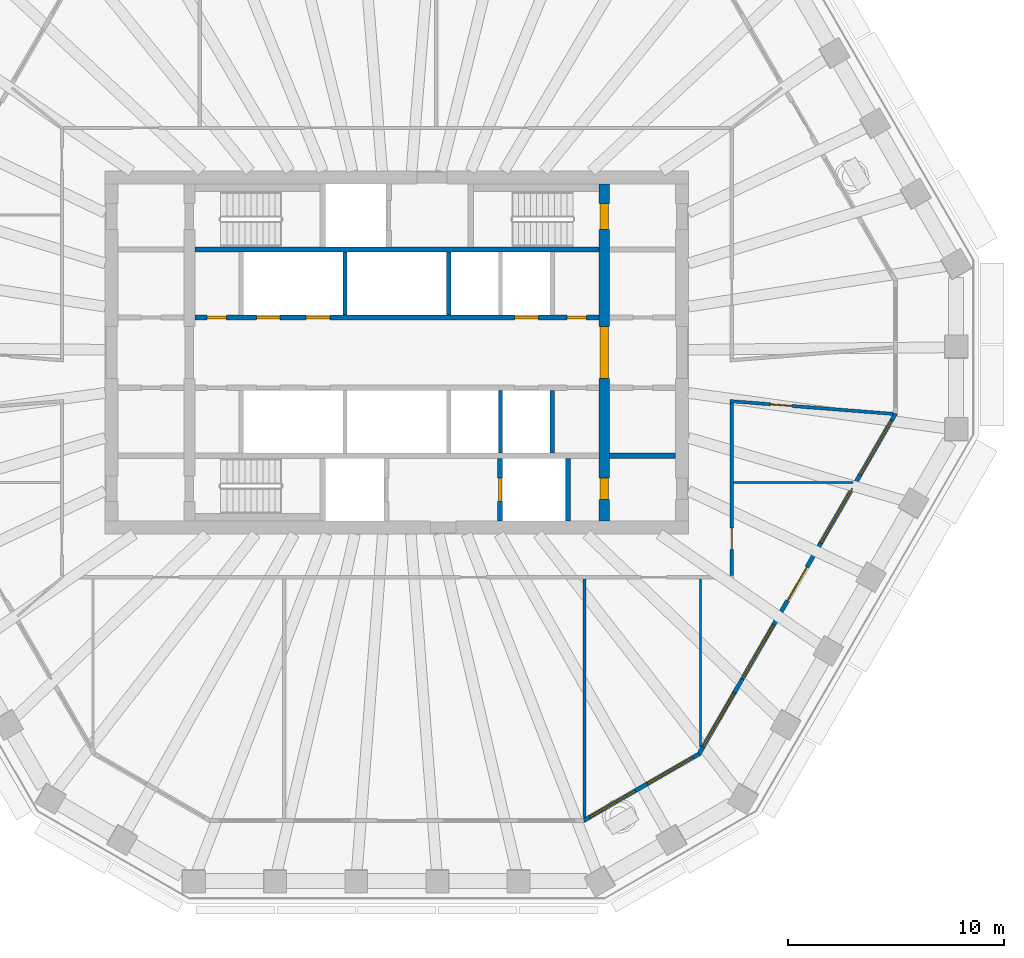
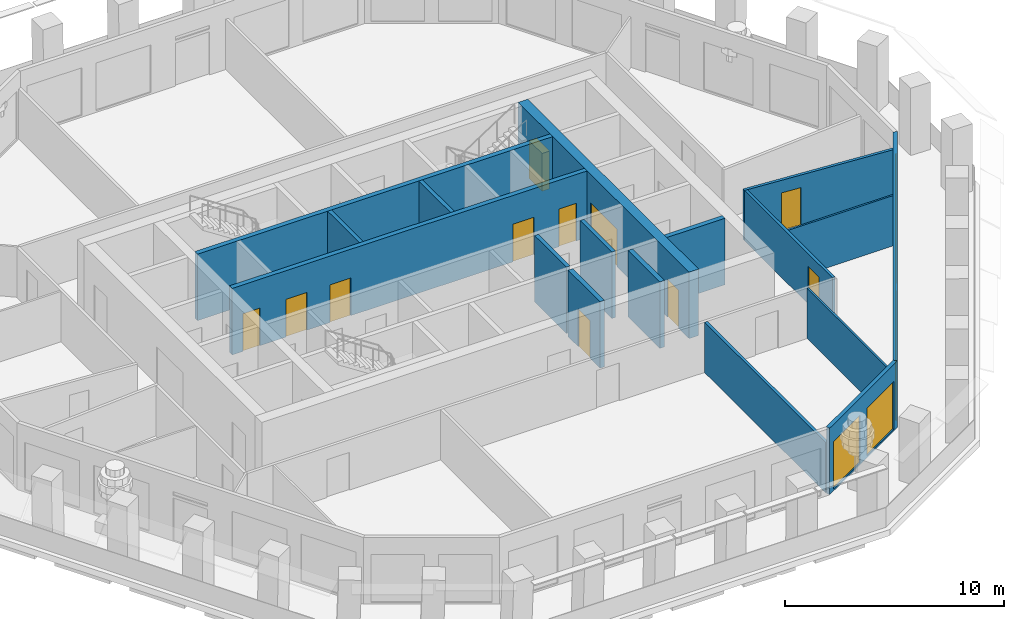
# One storey, part 5 of 12: 17 walls, 12 doors, 7 windows, 19 openings.
"""IFC4 building model written with IfcOpenShell, lengths in metres."""

from ifc_helpers import new_model, si_unit, direction, frame, frame_2d, origin, place, context, subcontext, project, spatial, polyline, rectangle, outline, extrude, material, layer, layer_set, type_object, element, fill, save


model = new_model("IFC4")

# Units and contexts
model_context = context("Model", 3, precision=1e-05, world=origin(), true_north=direction((0.0, 1.0)))
body_context = subcontext(model_context, "Body", "Model", "MODEL_VIEW")
ifc_project = project(units=[si_unit("LENGTHUNIT", "METRE"), si_unit("AREAUNIT", "SQUARE_METRE"), si_unit("VOLUMEUNIT", "CUBIC_METRE"), si_unit("PLANEANGLEUNIT", "RADIAN"), si_unit("MASSUNIT", "GRAM", prefix="KILO")], contexts=[model_context])

# Site, building, storey
site_placement = place(None, origin())
site = spatial("IfcSite", under=ifc_project, at=site_placement, CompositionType="ELEMENT")
building_placement = place(site_placement, origin())
building = spatial("IfcBuilding", under=site, at=building_placement, Name="Frailejon Research Tower", CompositionType="ELEMENT")
storey_placement = place(building_placement, frame((0.0, 0.0, 219.39990234375)))
storey = spatial("IfcBuildingStorey", under=building, at=storey_placement, Name="L47", CompositionType="ELEMENT", Elevation=219.39990234375)

# Wall, openings, doors
ifc_material_1 = material(Name="Concrete C60/75", Category="concrete")
ifc_layer_1 = layer(ifc_material_1, 0.5)
ifc_layer_set_1 = layer_set([ifc_layer_1], Name="Core shear wall 500 C60/75")
wall_type_1 = type_object("IfcWallType", Name="Core shear wall 500 C60/75", PredefinedType="SHEAR", material=ifc_layer_set_1)
wall_1_placement = place(storey_placement, frame((9.60009765625, -7.800048828125, 0.0), z_axis=(0.0, 0.0, 1.0), x_axis=(0.0, 1.0, 0.0)))
wall_1 = element("IfcWall", 1, at=wall_1_placement, inside=storey, type_object=wall_type_1, Name="Core shear wall", PredefinedType="SHEAR", context=body_context, shape_type="SweptSolid", body=[
    extrude(rectangle(XDim=15.60009765625, YDim=0.5, at=frame_2d((7.800048828125, 0.0))), origin(), (0.0, 0.0, 1.0), 3.7001953125),
])
opening_1_placement = place(wall_1_placement, frame((6.60009765625, 0.0, 0.0)))
opening_1 = element("IfcOpeningElement", 2, at=opening_1_placement, cuts=wall_1, Name="Opening D2", PredefinedType="OPENING", context=body_context, shape_type="SweptSolid", body=[
    extrude(rectangle(XDim=2.39990234375, YDim=2.10009765625, at=frame_2d((1.199951171875, 1.050048828125))), frame((0.0, 0.260009765625, 0.0), z_axis=(0.0, -1.0, 0.0), x_axis=(1.0, 0.0, 0.0)), (0.0, 0.0, 1.0), 0.52001953125),
])
opening_2_placement = place(wall_1_placement, frame((13.5, 0.0, 0.0)))
opening_2 = element("IfcOpeningElement", 3, at=opening_2_placement, cuts=wall_1, Name="Opening D1", PredefinedType="OPENING", context=body_context, shape_type="SweptSolid", body=[
    extrude(rectangle(XDim=1.199951171875, YDim=2.10009765625, at=frame_2d((0.60009765625, 1.050048828125))), frame((0.0, 0.260009765625, 0.0), z_axis=(0.0, -1.0, 0.0), x_axis=(1.0, 0.0, 0.0)), (0.0, 0.0, 1.0), 0.52001953125),
])
opening_3_placement = place(wall_1_placement, frame((1.0, 0.0, 0.0)))
opening_3 = element("IfcOpeningElement", 4, at=opening_3_placement, cuts=wall_1, Name="Opening D4", PredefinedType="OPENING", context=body_context, shape_type="SweptSolid", body=[
    extrude(rectangle(XDim=1.0, YDim=2.10009765625, at=frame_2d((0.5, 1.050048828125))), frame((0.0, 0.260009765625, 0.0), z_axis=(0.0, -1.0, 0.0), x_axis=(1.0, 0.0, 0.0)), (0.0, 0.0, 1.0), 0.52001953125),
])
ifc_material_2 = material(Name="Steel", Category="steel")
door_type_1 = type_object("IfcDoorType", Name="Lobby double door", OperationType="DOUBLE_DOOR_SINGLE_SWING", PredefinedType="DOOR", material=ifc_material_2)
door_1_placement = place(opening_1_placement, origin())
door_1 = element("IfcDoor", 5, at=door_1_placement, inside=storey, type_object=door_type_1, Name="Lobby door", OperationType="DOUBLE_DOOR_SINGLE_SWING", OverallHeight=2.10009765625, OverallWidth=2.39990234375, PredefinedType="DOOR", context=body_context, shape_type="SweptSolid", body=[
    extrude(rectangle(XDim=2.39990234375, YDim=2.10009765625, at=frame_2d((1.199951171875, 1.050048828125))), frame((0.0, 0.199951171875, 0.0), z_axis=(0.0, -1.0, 0.0), x_axis=(1.0, 0.0, 0.0)), (0.0, 0.0, 1.0), 0.39990234375),
])
fill(opening_1, door_1)
ifc_material_3 = material(Name="Steel", Category="steel")
door_type_2 = type_object("IfcDoorType", Name="Service door", OperationType="SINGLE_SWING_LEFT", PredefinedType="DOOR", material=ifc_material_3)
door_2_placement = place(opening_3_placement, origin())
door_2 = element("IfcDoor", 6, at=door_2_placement, inside=storey, type_object=door_type_2, Name="Riser door", OperationType="SINGLE_SWING_RIGHT", OverallHeight=2.10009765625, OverallWidth=1.0, PredefinedType="DOOR", context=body_context, shape_type="SweptSolid", body=[
    extrude(rectangle(XDim=1.0, YDim=2.10009765625, at=frame_2d((0.5, 1.050048828125))), frame((0.0, 0.199951171875, 0.0), z_axis=(0.0, -1.0, 0.0), x_axis=(1.0, 0.0, 0.0)), (0.0, 0.0, 1.0), 0.39990234375),
])
fill(opening_3, door_2)
ifc_material_4 = material(Name="Steel", Category="steel")
door_type_3 = type_object("IfcDoorType", Name="Stair door", OperationType="SINGLE_SWING_LEFT", PredefinedType="DOOR", material=ifc_material_4)
door_3_placement = place(opening_2_placement, origin())
door_3 = element("IfcDoor", 7, at=door_3_placement, inside=storey, type_object=door_type_3, Name="Stair door ST3", OperationType="SINGLE_SWING_RIGHT", OverallHeight=2.10009765625, OverallWidth=1.199951171875, PredefinedType="DOOR", context=body_context, shape_type="SweptSolid", body=[
    extrude(rectangle(XDim=1.199951171875, YDim=2.10009765625, at=frame_2d((0.60009765625, 1.050048828125))), frame((0.0, 0.199951171875, 0.0), z_axis=(0.0, -1.0, 0.0), x_axis=(1.0, 0.0, 0.0)), (0.0, 0.0, 1.0), 0.39990234375),
])
fill(opening_2, door_3)

# Wall, opening, door
ifc_material_5 = material(Name="Gypsum board and masonry partition", Category="masonry")
ifc_layer_2 = layer(ifc_material_5, 0.14990234375)
ifc_layer_set_2 = layer_set([ifc_layer_2], Name="Corridor wall EI 60, gypsum on steel studs 150")
wall_type_2 = type_object("IfcWallType", Name="Corridor wall EI 60, gypsum on steel studs 150", PredefinedType="PARTITIONING", material=ifc_layer_set_2)
wall_2_placement = place(storey_placement, frame((15.5, -10.324951171875, 0.0), z_axis=(0.0, 0.0, 1.0), x_axis=(0.0, 1.0, 0.0)))
wall_2 = element("IfcWall", 8, at=wall_2_placement, inside=storey, type_object=wall_type_2, Name="T:IW:L47:001", PredefinedType="PARTITIONING", context=body_context, shape_type="SweptSolid", body=[
    extrude(rectangle(XDim=7.999755859375, YDim=0.14990234375, at=frame_2d((4.0, 0.0))), origin(), (0.0, 0.0, 1.0), 2.800048828125),
])
opening_4_placement = place(wall_2_placement, frame((1.216064453125, 0.0, 0.0)))
opening_4 = element("IfcOpeningElement", 9, at=opening_4_placement, cuts=wall_2, Name="Opening D1974", PredefinedType="OPENING", context=body_context, shape_type="SweptSolid", body=[
    extrude(rectangle(XDim=1.0, YDim=2.10009765625, at=frame_2d((0.5, 1.050048828125))), frame((0.0, 0.0849609375, 0.0), z_axis=(0.0, -1.0, 0.0), x_axis=(1.0, 0.0, 0.0)), (0.0, 0.0, 1.0), 0.169921875),
])
ifc_material_6 = material(Name="Timber door leaf", Category="wood")
door_type_4 = type_object("IfcDoorType", Name="Door single leaf, timber, steel frame 1000", OperationType="NOTDEFINED", PredefinedType="DOOR", material=ifc_material_6)
door_4_placement = place(opening_4_placement, origin())
door_4 = element("IfcDoor", 10, at=door_4_placement, inside=storey, type_object=door_type_4, Name="D1974", OperationType="SINGLE_SWING_RIGHT", OverallHeight=2.10009765625, OverallWidth=1.0, PredefinedType="DOOR", context=body_context, shape_type="SweptSolid", body=[
    extrude(rectangle(XDim=1.0, YDim=2.10009765625, at=frame_2d((0.5, 1.050048828125))), frame((0.0, 0.02490234375, 0.0), z_axis=(0.0, -1.0, 0.0), x_axis=(1.0, 0.0, 0.0)), (0.0, 0.0, 1.0), 0.050048828125),
])
fill(opening_4, door_4)

wall_3_placement = place(storey_placement, frame((15.42529296875, -2.244384765625, 0.0), z_axis=(0.0, 0.0, 1.0), x_axis=(0.996946126236, -0.078092390041, 0.0)))
wall_3 = element("IfcWall", 11, at=wall_3_placement, inside=storey, type_object=wall_type_2, Name="T:IW:L47:010", PredefinedType="PARTITIONING", context=body_context, shape_type="SweptSolid", body=[
    extrude(rectangle(XDim=7.556396484375, YDim=0.14990234375, at=frame_2d((3.7783203125, 0.0))), origin(), (0.0, 0.0, 1.0), 2.800048828125),
])
opening_5_placement = place(wall_3_placement, frame((1.870361328125, 0.0, 0.0)))
opening_5 = element("IfcOpeningElement", 12, at=opening_5_placement, cuts=wall_3, Name="Opening D1975", PredefinedType="OPENING", context=body_context, shape_type="SweptSolid", body=[
    extrude(rectangle(XDim=1.0, YDim=2.10009765625, at=frame_2d((0.5, 1.050048828125))), frame((0.0, 0.0849609375, 0.0), z_axis=(0.0, -1.0, 0.0), x_axis=(1.0, 0.0, 0.0)), (0.0, 0.0, 1.0), 0.169921875),
])
door_5_placement = place(opening_5_placement, origin())
door_5 = element("IfcDoor", 13, at=door_5_placement, inside=storey, type_object=door_type_4, Name="D1975", OperationType="SINGLE_SWING_RIGHT", OverallHeight=2.10009765625, OverallWidth=1.0, PredefinedType="DOOR", context=body_context, shape_type="SweptSolid", body=[
    extrude(rectangle(XDim=1.0, YDim=2.10009765625, at=frame_2d((0.5, 1.050048828125))), frame((0.0, 0.02490234375, 0.0), z_axis=(0.0, -1.0, 0.0), x_axis=(1.0, 0.0, 0.0)), (0.0, 0.0, 1.0), 0.050048828125),
])
fill(opening_5, door_5)

# Walls
ifc_material_7 = material(Name="Gypsum board and masonry partition", Category="masonry")
ifc_layer_3 = layer(ifc_material_7, 0.14990234375)
ifc_layer_set_3 = layer_set([ifc_layer_3], Name="Laboratory partition, blockwork 150")
wall_type_3 = type_object("IfcWallType", Name="Laboratory partition, blockwork 150", PredefinedType="PARTITIONING", material=ifc_layer_set_3)
wall_4_placement = place(storey_placement, frame((8.6845703125, -21.5205078125, 0.0), z_axis=(0.0, 0.0, 1.0), x_axis=(0.0, 1.0, 0.0)))
element("IfcWall", 14, at=wall_4_placement, inside=storey, type_object=wall_type_3, Name="T:IW:L47:014", PredefinedType="PARTITIONING", context=body_context, shape_type="SweptSolid", body=[
    extrude(rectangle(XDim=11.04541015625, YDim=0.14990234375, at=frame_2d((5.522705078125, 0.0))), origin(), (0.0, 0.0, 1.0), 2.800048828125),
])
ifc_material_8 = material(Name="Gypsum board and masonry partition", Category="masonry")
ifc_layer_4 = layer(ifc_material_8, 0.10009765625)
ifc_layer_set_4 = layer_set([ifc_layer_4], Name="Partition, gypsum on steel studs 100")
wall_type_4 = type_object("IfcWallType", Name="Partition, gypsum on steel studs 100", PredefinedType="PARTITIONING", material=ifc_layer_set_4)
wall_5_placement = place(storey_placement, frame((15.574951171875, -6.010986328125, 0.0), z_axis=(0.0, 0.0, 1.0), x_axis=(1.0, 0.0, 0.0)))
element("IfcWall", 15, at=wall_5_placement, inside=storey, type_object=wall_type_4, Name="T:IW:L47:019", PredefinedType="PARTITIONING", context=body_context, shape_type="SweptSolid", body=[
    extrude(rectangle(XDim=5.549560546875, YDim=0.10009765625, at=frame_2d((2.77490234375, 0.0))), origin(), (0.0, 0.0, 1.0), 2.800048828125),
])
wall_6_placement = place(storey_placement, frame((14.0595703125, -18.248291015625, 0.0), z_axis=(0.0, 0.0, 1.0), x_axis=(0.0, 1.0, 0.0)))
element("IfcWall", 16, at=wall_6_placement, inside=storey, type_object=wall_type_4, Name="T:IW:L47:022", PredefinedType="PARTITIONING", context=body_context, shape_type="SweptSolid", body=[
    extrude(rectangle(XDim=7.773193359375, YDim=0.10009765625, at=frame_2d((3.88671875, 0.0))), origin(), (0.0, 0.0, 1.0), 2.800048828125),
])
ifc_material_9 = material(Name="Concrete C60/75", Category="concrete")
ifc_layer_5 = layer(ifc_material_9, 0.199951171875)
ifc_layer_set_5 = layer_set([ifc_layer_5], Name="Shaft wall 200 C60/75")
wall_type_5 = type_object("IfcWallType", Name="Shaft wall 200 C60/75", PredefinedType="SOLIDWALL", material=ifc_layer_set_5)
for number, where, z_axis, x_axis, name in (
    (17, (-2.39990234375, 1.75, 0.0), (0.0, 0.0, 1.0), (0.0, 1.0, 0.0), "Shaft wall"),
    (18, (2.39990234375, 1.75, 0.0), (0.0, 0.0, 1.0), (0.0, 1.0, 0.0), "Shaft wall"),
    (19, (4.800048828125, -4.64990234375, 0.0), (0.0, 0.0, 1.0), (0.0, 1.0, 0.0), "Shaft wall"),
    (20, (7.199951171875, -4.64990234375, 0.0), (0.0, 0.0, 1.0), (0.0, 1.0, 0.0), "Shaft wall"),
):
    element("IfcWall", number, at=place(storey_placement, frame(where, z_axis=z_axis, x_axis=x_axis)), inside=storey, type_object=wall_type_5, Name=name, PredefinedType="SOLIDWALL", context=body_context, shape_type="SweptSolid", body=[
        extrude(rectangle(XDim=2.89990234375, YDim=0.199951171875, at=frame_2d((1.449951171875, 0.0))), origin(), (0.0, 0.0, 1.0), 3.7001953125),
    ])

# Wall, openings, doors
ifc_material_10 = material(Name="Concrete C60/75", Category="concrete")
ifc_layer_6 = layer(ifc_material_10, 0.25)
ifc_layer_set_6 = layer_set([ifc_layer_6], Name="Shaft wall 250 C60/75")
wall_type_6 = type_object("IfcWallType", Name="Shaft wall 250 C60/75", PredefinedType="SOLIDWALL", material=ifc_layer_set_6)
wall_7_placement = place(storey_placement, frame((-9.35009765625, 1.625, 0.0), z_axis=(0.0, 0.0, 1.0), x_axis=(1.0, 0.0, 0.0)))
wall_7 = element("IfcWall", 21, at=wall_7_placement, inside=storey, type_object=wall_type_6, Name="Shaft wall", PredefinedType="SOLIDWALL", context=body_context, shape_type="SweptSolid", body=[
    extrude(rectangle(XDim=18.7001953125, YDim=0.25, at=frame_2d((9.35009765625, 0.0))), origin(), (0.0, 0.0, 1.0), 3.7001953125),
])
opening_6_placement = place(wall_7_placement, frame((2.85009765625, 0.0, 0.0)))
opening_6 = element("IfcOpeningElement", 22, at=opening_6_placement, cuts=wall_7, Name="Opening LD", PredefinedType="OPENING", context=body_context, shape_type="SweptSolid", body=[
    extrude(rectangle(XDim=1.10009765625, YDim=2.10009765625, at=frame_2d((0.550048828125, 1.050048828125))), frame((0.0, 0.135009765625, 0.0), z_axis=(0.0, -1.0, 0.0), x_axis=(1.0, 0.0, 0.0)), (0.0, 0.0, 1.0), 0.27001953125),
])
opening_7_placement = place(wall_7_placement, frame((5.14990234375, 0.0, 0.0)))
opening_7 = element("IfcOpeningElement", 23, at=opening_7_placement, cuts=wall_7, Name="Opening LD", PredefinedType="OPENING", context=body_context, shape_type="SweptSolid", body=[
    extrude(rectangle(XDim=1.10009765625, YDim=2.10009765625, at=frame_2d((0.550048828125, 1.050048828125))), frame((0.0, 0.135009765625, 0.0), z_axis=(0.0, -1.0, 0.0), x_axis=(1.0, 0.0, 0.0)), (0.0, 0.0, 1.0), 0.27001953125),
])
opening_8_placement = place(wall_7_placement, frame((14.800048828125, 0.0, 0.0)))
opening_8 = element("IfcOpeningElement", 24, at=opening_8_placement, cuts=wall_7, Name="Opening LD", PredefinedType="OPENING", context=body_context, shape_type="SweptSolid", body=[
    extrude(rectangle(XDim=1.10009765625, YDim=2.10009765625, at=frame_2d((0.550048828125, 1.050048828125))), frame((0.0, 0.135009765625, 0.0), z_axis=(0.0, -1.0, 0.0), x_axis=(1.0, 0.0, 0.0)), (0.0, 0.0, 1.0), 0.27001953125),
])
opening_9_placement = place(wall_7_placement, frame((0.574951171875, 0.0, 0.0)))
opening_9 = element("IfcOpeningElement", 25, at=opening_9_placement, cuts=wall_7, Name="Opening D8", PredefinedType="OPENING", context=body_context, shape_type="SweptSolid", body=[
    extrude(rectangle(XDim=0.89990234375, YDim=2.10009765625, at=frame_2d((0.449951171875, 1.050048828125))), frame((0.0, 0.135009765625, 0.0), z_axis=(0.0, -1.0, 0.0), x_axis=(1.0, 0.0, 0.0)), (0.0, 0.0, 1.0), 0.27001953125),
])
opening_10_placement = place(wall_7_placement, frame((17.22509765625, 0.0, 0.0)))
opening_10 = element("IfcOpeningElement", 26, at=opening_10_placement, cuts=wall_7, Name="Opening D8", PredefinedType="OPENING", context=body_context, shape_type="SweptSolid", body=[
    extrude(rectangle(XDim=0.89990234375, YDim=2.10009765625, at=frame_2d((0.449951171875, 1.050048828125))), frame((0.0, 0.135009765625, 0.0), z_axis=(0.0, -1.0, 0.0), x_axis=(1.0, 0.0, 0.0)), (0.0, 0.0, 1.0), 0.27001953125),
])
ifc_material_11 = material(Name="Steel", Category="steel")
door_type_5 = type_object("IfcDoorType", Name="Core room door", OperationType="SINGLE_SWING_LEFT", PredefinedType="DOOR", material=ifc_material_11)
door_6_placement = place(opening_9_placement, origin())
door_6 = element("IfcDoor", 27, at=door_6_placement, inside=storey, type_object=door_type_5, Name="Room door", OperationType="SINGLE_SWING_LEFT", OverallHeight=2.10009765625, OverallWidth=0.89990234375, PredefinedType="DOOR", context=body_context, shape_type="SweptSolid", body=[
    extrude(rectangle(XDim=0.89990234375, YDim=2.10009765625, at=frame_2d((0.449951171875, 1.050048828125))), frame((0.0, 0.074951171875, 0.0), z_axis=(0.0, -1.0, 0.0), x_axis=(1.0, 0.0, 0.0)), (0.0, 0.0, 1.0), 0.14990234375),
])
fill(opening_9, door_6)
door_7_placement = place(opening_10_placement, origin())
door_7 = element("IfcDoor", 28, at=door_7_placement, inside=storey, type_object=door_type_5, Name="Room door", OperationType="SINGLE_SWING_RIGHT", OverallHeight=2.10009765625, OverallWidth=0.89990234375, PredefinedType="DOOR", context=body_context, shape_type="SweptSolid", body=[
    extrude(rectangle(XDim=0.89990234375, YDim=2.10009765625, at=frame_2d((0.449951171875, 1.050048828125))), frame((0.0, 0.074951171875, 0.0), z_axis=(0.0, -1.0, 0.0), x_axis=(1.0, 0.0, 0.0)), (0.0, 0.0, 1.0), 0.14990234375),
])
fill(opening_10, door_7)
ifc_material_12 = material(Name="Steel", Category="steel")
door_type_6 = type_object("IfcDoorType", Name="Lift landing door", OperationType="DOUBLE_DOOR_SLIDING", PredefinedType="DOOR", material=ifc_material_12)
door_8_placement = place(opening_6_placement, origin())
door_8 = element("IfcDoor", 29, at=door_8_placement, inside=storey, type_object=door_type_6, Name="Lift landing door", OperationType="DOUBLE_DOOR_SLIDING", OverallHeight=2.10009765625, OverallWidth=1.10009765625, PredefinedType="DOOR", context=body_context, shape_type="SweptSolid", body=[
    extrude(rectangle(XDim=1.10009765625, YDim=2.10009765625, at=frame_2d((0.550048828125, 1.050048828125))), frame((0.0, 0.074951171875, 0.0), z_axis=(0.0, -1.0, 0.0), x_axis=(1.0, 0.0, 0.0)), (0.0, 0.0, 1.0), 0.14990234375),
])
fill(opening_6, door_8)
door_9_placement = place(opening_7_placement, origin())
door_9 = element("IfcDoor", 30, at=door_9_placement, inside=storey, type_object=door_type_6, Name="Lift landing door", OperationType="DOUBLE_DOOR_SLIDING", OverallHeight=2.10009765625, OverallWidth=1.10009765625, PredefinedType="DOOR", context=body_context, shape_type="SweptSolid", body=[
    extrude(rectangle(XDim=1.10009765625, YDim=2.10009765625, at=frame_2d((0.550048828125, 1.050048828125))), frame((0.0, 0.074951171875, 0.0), z_axis=(0.0, -1.0, 0.0), x_axis=(1.0, 0.0, 0.0)), (0.0, 0.0, 1.0), 0.14990234375),
])
fill(opening_7, door_9)
door_10_placement = place(opening_8_placement, origin())
door_10 = element("IfcDoor", 31, at=door_10_placement, inside=storey, type_object=door_type_6, Name="Lift landing door", OperationType="DOUBLE_DOOR_SLIDING", OverallHeight=2.10009765625, OverallWidth=1.10009765625, PredefinedType="DOOR", context=body_context, shape_type="SweptSolid", body=[
    extrude(rectangle(XDim=1.10009765625, YDim=2.10009765625, at=frame_2d((0.550048828125, 1.050048828125))), frame((0.0, 0.074951171875, 0.0), z_axis=(0.0, -1.0, 0.0), x_axis=(1.0, 0.0, 0.0)), (0.0, 0.0, 1.0), 0.14990234375),
])
fill(opening_8, door_10)

# Walls
wall_8_placement = place(storey_placement, frame((-9.35009765625, 4.77490234375, 0.0), z_axis=(0.0, 0.0, 1.0), x_axis=(1.0, 0.0, 0.0)))
element("IfcWall", 32, at=wall_8_placement, inside=storey, type_object=wall_type_6, Name="Shaft wall", PredefinedType="SOLIDWALL", context=body_context, shape_type="SweptSolid", body=[
    extrude(rectangle(XDim=18.7001953125, YDim=0.25, at=frame_2d((9.35009765625, 0.0))), origin(), (0.0, 0.0, 1.0), 3.7001953125),
])
wall_9_placement = place(storey_placement, frame((9.85009765625, -4.77490234375, 0.0), z_axis=(0.0, 0.0, 1.0), x_axis=(1.0, 0.0, 0.0)))
element("IfcWall", 33, at=wall_9_placement, inside=storey, type_object=wall_type_6, Name="Shaft wall", PredefinedType="SOLIDWALL", context=body_context, shape_type="SweptSolid", body=[
    extrude(rectangle(XDim=3.0498046875, YDim=0.25, at=frame_2d((1.52490234375, 0.0))), origin(), (0.0, 0.0, 1.0), 3.7001953125),
])

# Wall, opening, door
wall_10_placement = place(storey_placement, frame((4.77490234375, -7.800048828125, 0.0), z_axis=(0.0, 0.0, 1.0), x_axis=(0.0, 1.0, 0.0)))
wall_10 = element("IfcWall", 34, at=wall_10_placement, inside=storey, type_object=wall_type_6, Name="Shaft wall", PredefinedType="SOLIDWALL", context=body_context, shape_type="SweptSolid", body=[
    extrude(rectangle(XDim=2.900146484375, YDim=0.25, at=frame_2d((1.4501953125, 0.0))), origin(), (0.0, 0.0, 1.0), 3.7001953125),
])
opening_11_placement = place(wall_10_placement, frame((0.89990234375, 0.0, 0.0)))
opening_11 = element("IfcOpeningElement", 35, at=opening_11_placement, cuts=wall_10, Name="Opening LD", PredefinedType="OPENING", context=body_context, shape_type="SweptSolid", body=[
    extrude(rectangle(XDim=1.10009765625, YDim=2.10009765625, at=frame_2d((0.550048828125, 1.050048828125))), frame((0.0, 0.135009765625, 0.0), z_axis=(0.0, -1.0, 0.0), x_axis=(1.0, 0.0, 0.0)), (0.0, 0.0, 1.0), 0.27001953125),
])
door_11_placement = place(opening_11_placement, origin())
door_11 = element("IfcDoor", 36, at=door_11_placement, inside=storey, type_object=door_type_6, Name="Lift landing door", OperationType="DOUBLE_DOOR_SLIDING", OverallHeight=2.10009765625, OverallWidth=1.10009765625, PredefinedType="DOOR", context=body_context, shape_type="SweptSolid", body=[
    extrude(rectangle(XDim=1.10009765625, YDim=2.10009765625, at=frame_2d((0.550048828125, 1.050048828125))), frame((0.0, 0.074951171875, 0.0), z_axis=(0.0, -1.0, 0.0), x_axis=(1.0, 0.0, 0.0)), (0.0, 0.0, 1.0), 0.14990234375),
])
fill(opening_11, door_11)

# Wall
wall_11_placement = place(storey_placement, frame((7.925048828125, -7.800048828125, 0.0), z_axis=(0.0, 0.0, 1.0), x_axis=(0.0, 1.0, 0.0)))
element("IfcWall", 37, at=wall_11_placement, inside=storey, type_object=wall_type_6, Name="Shaft wall", PredefinedType="SOLIDWALL", context=body_context, shape_type="SweptSolid", body=[
    extrude(rectangle(XDim=2.900146484375, YDim=0.25, at=frame_2d((1.4501953125, 0.0))), origin(), (0.0, 0.0, 1.0), 3.7001953125),
])

# Wall, openings, windows
ifc_material_13 = material(Name="Concrete C40/50 precast window wall panel", Category="concrete")
ifc_layer_7 = layer(ifc_material_13, 0.199951171875)
ifc_layer_set_7 = layer_set([ifc_layer_7], Name="Window wall 200")
wall_type_7 = type_object("IfcWallType", Name="Window wall 200", PredefinedType="SOLIDWALL", material=ifc_layer_set_7)
wall_12_placement = place(storey_placement, frame((8.65771484375, -21.6513671875, 0.0), z_axis=(0.0, 0.0, 1.0), x_axis=(0.866029647142, 0.499992650217, 0.0)))
wall_12 = element("IfcWall", 38, at=wall_12_placement, inside=storey, type_object=wall_type_7, Name="Exterior wall L47", PredefinedType="SOLIDWALL", context=body_context, shape_type="SweptSolid", body=[
    extrude(outline(polyline([(-0.02685546875, -0.10009765625), (1.007568359375, -0.10009765625), (2.0419921875, -0.10009765625), (3.076416015625, -0.10009765625), (4.11083984375, -0.10009765625), (5.145263671875, -0.10009765625), (6.1796875, -0.10009765625), (6.1259765625, 0.10009765625), (5.109375, 0.10009765625), (4.093017578125, 0.10009765625), (3.076416015625, 0.10009765625), (2.059814453125, 0.10009765625), (1.04345703125, 0.10009765625), (0.02685546875, 0.10009765625), (-0.02685546875, -0.10009765625)])), origin(), (0.0, 0.0, 1.0), 3.7001953125),
])
opening_12_placement = place(wall_12_placement, frame((0.313232421875, 0.0, 0.10009765625)))
opening_12 = element("IfcOpeningElement", 39, at=opening_12_placement, cuts=wall_12, Name="Opening W17", PredefinedType="OPENING", context=body_context, shape_type="SweptSolid", body=[
    extrude(rectangle(XDim=2.449951171875, YDim=2.64990234375, at=frame_2d((1.22509765625, 1.324951171875))), frame((0.0, 0.10986328125, 0.0), z_axis=(0.0, -1.0, 0.0), x_axis=(1.0, 0.0, 0.0)), (0.0, 0.0, 1.0), 0.219970703125),
])
opening_13_placement = place(wall_12_placement, frame((3.3896484375, 0.0, 0.10009765625)))
opening_13 = element("IfcOpeningElement", 40, at=opening_13_placement, cuts=wall_12, Name="Opening W17", PredefinedType="OPENING", context=body_context, shape_type="SweptSolid", body=[
    extrude(rectangle(XDim=2.449951171875, YDim=2.64990234375, at=frame_2d((1.22509765625, 1.324951171875))), frame((0.0, 0.10986328125, 0.0), z_axis=(0.0, -1.0, 0.0), x_axis=(1.0, 0.0, 0.0)), (0.0, 0.0, 1.0), 0.219970703125),
])
ifc_material_14 = material(Name="Aluminium framed double glazing", Category="aluminium")
window_type_1 = type_object("IfcWindowType", Name="Window 2450x2650", PartitioningType="SINGLE_PANEL", PredefinedType="WINDOW", material=ifc_material_14)
window_1_placement = place(opening_12_placement, origin())
window_1 = element("IfcWindow", 41, at=window_1_placement, inside=storey, type_object=window_type_1, Name="Window L47", OverallHeight=2.64990234375, OverallWidth=2.449951171875, PartitioningType="SINGLE_PANEL", PredefinedType="WINDOW", context=body_context, shape_type="SweptSolid", body=[
    extrude(rectangle(XDim=2.449951171875, YDim=2.64990234375, at=frame_2d((1.22509765625, 1.324951171875))), frame((0.0, 0.030029296875, 0.0), z_axis=(0.0, -1.0, 0.0), x_axis=(1.0, 0.0, 0.0)), (0.0, 0.0, 1.0), 0.06005859375),
])
fill(opening_12, window_1)
window_2_placement = place(opening_13_placement, origin())
window_2 = element("IfcWindow", 42, at=window_2_placement, inside=storey, type_object=window_type_1, Name="Window L47", OverallHeight=2.64990234375, OverallWidth=2.449951171875, PartitioningType="SINGLE_PANEL", PredefinedType="WINDOW", context=body_context, shape_type="SweptSolid", body=[
    extrude(rectangle(XDim=2.449951171875, YDim=2.64990234375, at=frame_2d((1.22509765625, 1.324951171875))), frame((0.0, 0.030029296875, 0.0), z_axis=(0.0, -1.0, 0.0), x_axis=(1.0, 0.0, 0.0)), (0.0, 0.0, 1.0), 0.06005859375),
])
fill(opening_13, window_2)

# Wall, openings, door, windows
wall_13_placement = place(storey_placement, frame((13.986328125, -18.574951171875, 0.0), z_axis=(0.0, 0.0, 1.0), x_axis=(0.500005605865, 0.866022167212, 0.0)))
wall_13 = element("IfcWall", 43, at=wall_13_placement, inside=storey, type_object=wall_type_7, Name="Exterior wall L47", PredefinedType="SOLIDWALL", context=body_context, shape_type="SweptSolid", body=[
    extrude(outline(polyline([(-0.02685546875, -0.10009765625), (0.986572265625, -0.10009765625), (1.999755859375, -0.10009765625), (3.01318359375, -0.10009765625), (4.0263671875, -0.10009765625), (5.039794921875, -0.10009765625), (6.05322265625, -0.10009765625), (7.06640625, -0.10009765625), (8.079833984375, -0.10009765625), (9.09326171875, -0.10009765625), (10.1064453125, -0.10009765625), (11.119873046875, -0.10009765625), (12.133056640625, -0.10009765625), (13.146484375, -0.10009765625), (14.159912109375, -0.10009765625), (15.173095703125, -0.10009765625), (16.1865234375, -0.10009765625), (17.19970703125, -0.10009765625), (18.213134765625, -0.10009765625), (18.159423828125, 0.10009765625), (17.152099609375, 0.10009765625), (16.144775390625, 0.10009765625), (15.13720703125, 0.10009765625), (14.1298828125, 0.10009765625), (13.12255859375, 0.10009765625), (12.115234375, 0.10009765625), (11.10791015625, 0.10009765625), (10.1005859375, 0.10009765625), (9.09326171875, 0.10009765625), (8.085693359375, 0.10009765625), (7.078369140625, 0.10009765625), (6.071044921875, 0.10009765625), (5.063720703125, 0.10009765625), (4.056396484375, 0.10009765625), (3.048828125, 0.10009765625), (2.04150390625, 0.10009765625), (1.0341796875, 0.10009765625), (0.02685546875, 0.10009765625), (-0.02685546875, -0.10009765625)])), origin(), (0.0, 0.0, 1.0), 3.7001953125),
])
opening_14_placement = place(wall_13_placement, frame((0.36865234375, 0.0, 0.10009765625)))
opening_14 = element("IfcOpeningElement", 44, at=opening_14_placement, cuts=wall_13, Name="Opening W20", PredefinedType="OPENING", context=body_context, shape_type="SweptSolid", body=[
    extrude(rectangle(XDim=2.89990234375, YDim=2.64990234375, at=frame_2d((1.449951171875, 1.324951171875))), frame((0.0, 0.10986328125, 0.0), z_axis=(0.0, -1.0, 0.0), x_axis=(1.0, 0.0, 0.0)), (0.0, 0.0, 1.0), 0.219970703125),
])
opening_15_placement = place(wall_13_placement, frame((4.005859375, 0.0, 0.10009765625)))
opening_15 = element("IfcOpeningElement", 45, at=opening_15_placement, cuts=wall_13, Name="Opening W20", PredefinedType="OPENING", context=body_context, shape_type="SweptSolid", body=[
    extrude(rectangle(XDim=2.89990234375, YDim=2.64990234375, at=frame_2d((1.449951171875, 1.324951171875))), frame((0.0, 0.10986328125, 0.0), z_axis=(0.0, -1.0, 0.0), x_axis=(1.0, 0.0, 0.0)), (0.0, 0.0, 1.0), 0.219970703125),
])
opening_16_placement = place(wall_13_placement, frame((8.193115234375, 0.0, 0.0)))
opening_16 = element("IfcOpeningElement", 46, at=opening_16_placement, cuts=wall_13, Name="Opening LG47-6", PredefinedType="OPENING", context=body_context, shape_type="SweptSolid", body=[
    extrude(rectangle(XDim=1.800048828125, YDim=2.39990234375, at=frame_2d((0.89990234375, 1.199951171875))), frame((0.0, 0.10986328125, 0.0), z_axis=(0.0, -1.0, 0.0), x_axis=(1.0, 0.0, 0.0)), (0.0, 0.0, 1.0), 0.219970703125),
])
opening_17_placement = place(wall_13_placement, frame((8.193115234375, 0.0, 2.550048828125)))
opening_17 = element("IfcOpeningElement", 47, at=opening_17_placement, cuts=wall_13, Name="Opening W19", PredefinedType="OPENING", context=body_context, shape_type="SweptSolid", body=[
    extrude(rectangle(XDim=1.800048828125, YDim=0.199951171875, at=frame_2d((0.89990234375, 0.10009765625))), frame((0.0, 0.10986328125, 0.0), z_axis=(0.0, -1.0, 0.0), x_axis=(1.0, 0.0, 0.0)), (0.0, 0.0, 1.0), 0.219970703125),
])
opening_18_placement = place(wall_13_placement, frame((11.280517578125, 0.0, 0.10009765625)))
opening_18 = element("IfcOpeningElement", 48, at=opening_18_placement, cuts=wall_13, Name="Opening W20", PredefinedType="OPENING", context=body_context, shape_type="SweptSolid", body=[
    extrude(rectangle(XDim=2.89990234375, YDim=2.64990234375, at=frame_2d((1.449951171875, 1.324951171875))), frame((0.0, 0.10986328125, 0.0), z_axis=(0.0, -1.0, 0.0), x_axis=(1.0, 0.0, 0.0)), (0.0, 0.0, 1.0), 0.219970703125),
])
opening_19_placement = place(wall_13_placement, frame((14.917724609375, 0.0, 0.10009765625)))
opening_19 = element("IfcOpeningElement", 49, at=opening_19_placement, cuts=wall_13, Name="Opening W20", PredefinedType="OPENING", context=body_context, shape_type="SweptSolid", body=[
    extrude(rectangle(XDim=2.89990234375, YDim=2.64990234375, at=frame_2d((1.449951171875, 1.324951171875))), frame((0.0, 0.10986328125, 0.0), z_axis=(0.0, -1.0, 0.0), x_axis=(1.0, 0.0, 0.0)), (0.0, 0.0, 1.0), 0.219970703125),
])
ifc_material_15 = material(Name="Aluminium framed glazed door leaf", Category="aluminium")
door_type_7 = type_object("IfcDoorType", Name="Loggia door 1800x2400", OperationType="DOUBLE_DOOR_SINGLE_SWING", PredefinedType="DOOR", material=ifc_material_15)
door_12_placement = place(opening_16_placement, origin())
door_12 = element("IfcDoor", 50, at=door_12_placement, inside=storey, type_object=door_type_7, Name="Door LG47-6", OperationType="DOUBLE_DOOR_SINGLE_SWING", OverallHeight=2.39990234375, OverallWidth=1.800048828125, PredefinedType="DOOR", context=body_context, shape_type="SweptSolid", body=[
    extrude(rectangle(XDim=1.800048828125, YDim=2.39990234375, at=frame_2d((0.89990234375, 1.199951171875))), frame((0.0, 0.02490234375, 0.0), z_axis=(0.0, -1.0, 0.0), x_axis=(1.0, 0.0, 0.0)), (0.0, 0.0, 1.0), 0.050048828125),
])
fill(opening_16, door_12)
ifc_material_16 = material(Name="Aluminium framed double glazing", Category="aluminium")
window_type_2 = type_object("IfcWindowType", Name="Window 1800x200", PartitioningType="SINGLE_PANEL", PredefinedType="WINDOW", material=ifc_material_16)
window_3_placement = place(opening_17_placement, origin())
window_3 = element("IfcWindow", 51, at=window_3_placement, inside=storey, type_object=window_type_2, Name="Window L47", OverallHeight=0.199951171875, OverallWidth=1.800048828125, PartitioningType="SINGLE_PANEL", PredefinedType="WINDOW", context=body_context, shape_type="SweptSolid", body=[
    extrude(rectangle(XDim=1.800048828125, YDim=0.199951171875, at=frame_2d((0.89990234375, 0.10009765625))), frame((0.0, 0.030029296875, 0.0), z_axis=(0.0, -1.0, 0.0), x_axis=(1.0, 0.0, 0.0)), (0.0, 0.0, 1.0), 0.06005859375),
])
fill(opening_17, window_3)
ifc_material_17 = material(Name="Aluminium framed double glazing", Category="aluminium")
window_type_3 = type_object("IfcWindowType", Name="Window 2900x2650", PartitioningType="SINGLE_PANEL", PredefinedType="WINDOW", material=ifc_material_17)
window_4_placement = place(opening_14_placement, origin())
window_4 = element("IfcWindow", 52, at=window_4_placement, inside=storey, type_object=window_type_3, Name="Window L47", OverallHeight=2.64990234375, OverallWidth=2.89990234375, PartitioningType="SINGLE_PANEL", PredefinedType="WINDOW", context=body_context, shape_type="SweptSolid", body=[
    extrude(rectangle(XDim=2.89990234375, YDim=2.64990234375, at=frame_2d((1.449951171875, 1.324951171875))), frame((0.0, 0.030029296875, 0.0), z_axis=(0.0, -1.0, 0.0), x_axis=(1.0, 0.0, 0.0)), (0.0, 0.0, 1.0), 0.06005859375),
])
fill(opening_14, window_4)
window_5_placement = place(opening_15_placement, origin())
window_5 = element("IfcWindow", 53, at=window_5_placement, inside=storey, type_object=window_type_3, Name="Window L47", OverallHeight=2.64990234375, OverallWidth=2.89990234375, PartitioningType="SINGLE_PANEL", PredefinedType="WINDOW", context=body_context, shape_type="SweptSolid", body=[
    extrude(rectangle(XDim=2.89990234375, YDim=2.64990234375, at=frame_2d((1.449951171875, 1.324951171875))), frame((0.0, 0.030029296875, 0.0), z_axis=(0.0, -1.0, 0.0), x_axis=(1.0, 0.0, 0.0)), (0.0, 0.0, 1.0), 0.06005859375),
])
fill(opening_15, window_5)
window_6_placement = place(opening_18_placement, origin())
window_6 = element("IfcWindow", 54, at=window_6_placement, inside=storey, type_object=window_type_3, Name="Window L47", OverallHeight=2.64990234375, OverallWidth=2.89990234375, PartitioningType="SINGLE_PANEL", PredefinedType="WINDOW", context=body_context, shape_type="SweptSolid", body=[
    extrude(rectangle(XDim=2.89990234375, YDim=2.64990234375, at=frame_2d((1.449951171875, 1.324951171875))), frame((0.0, 0.030029296875, 0.0), z_axis=(0.0, -1.0, 0.0), x_axis=(1.0, 0.0, 0.0)), (0.0, 0.0, 1.0), 0.06005859375),
])
fill(opening_18, window_6)
window_7_placement = place(opening_19_placement, origin())
window_7 = element("IfcWindow", 55, at=window_7_placement, inside=storey, type_object=window_type_3, Name="Window L47", OverallHeight=2.64990234375, OverallWidth=2.89990234375, PartitioningType="SINGLE_PANEL", PredefinedType="WINDOW", context=body_context, shape_type="SweptSolid", body=[
    extrude(rectangle(XDim=2.89990234375, YDim=2.64990234375, at=frame_2d((1.449951171875, 1.324951171875))), frame((0.0, 0.030029296875, 0.0), z_axis=(0.0, -1.0, 0.0), x_axis=(1.0, 0.0, 0.0)), (0.0, 0.0, 1.0), 0.06005859375),
])
fill(opening_19, window_7)

save(model, "model.ifc")
